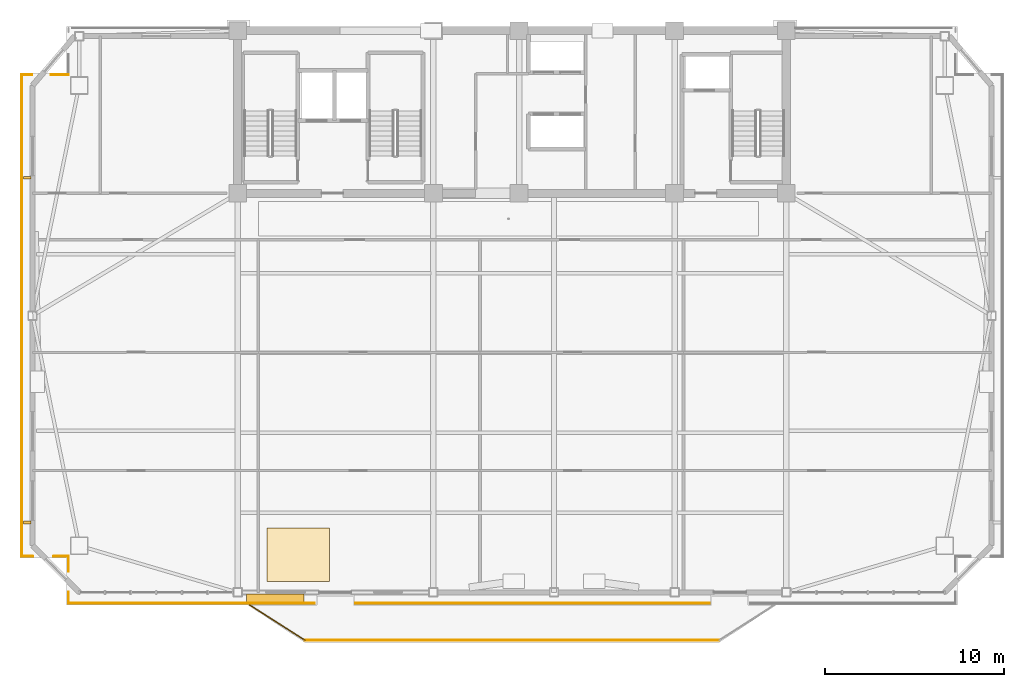
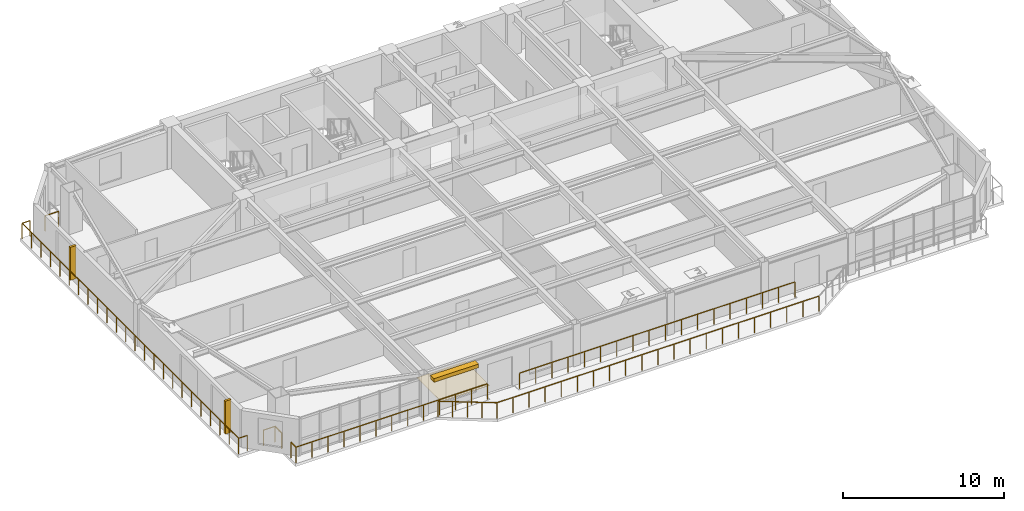
# One storey, part 13 of 17: 11 railings, 3 shading devices, 1 covering.
"""IFC4 building model written with IfcOpenShell, lengths in metres."""

import ifcopenshell
import ifcopenshell.guid

model = None  # the IFC model being written
_history = None  # IfcOwnerHistory: only IFC2X3 demands one
_inside = {}  # id of a spatial element -> (the spatial element, [elements in it])
_under = {}  # id of a project, library or spatial element -> (it, [spatial elements below it])
_declared = {}  # id of a project -> (the project, [libraries it declares])
_typed = {}  # id of a type object -> (the type object, [elements of that type])
_made_of = {}  # id of a material, layer set ... -> (it, [elements and type objects made of it])


def new_model(schema):
    """Start an empty IFC model of exactly this schema.

    Asked for "IFC4X3", IfcOpenShell would pick the latest addendum, in which some entities
    have other attributes; the version numbers below select the first issue.
    IFC2X3 requires an IfcOwnerHistory on every rooted entity: one is made here for all.
    """
    global model, _history
    if schema == "IFC4X3":
        model = ifcopenshell.file(schema_version=(4, 3, 0, 0))
    else:
        model = ifcopenshell.file(schema=schema)
    _inside.clear()
    _under.clear()
    _declared.clear()
    _typed.clear()
    _made_of.clear()
    _history = None
    if model.schema == "IFC2X3":
        org = make("IfcOrganization", Name="unknown")
        user = make(
            "IfcPersonAndOrganization",
            ThePerson=make("IfcPerson", FamilyName="unknown"),
            TheOrganization=org,
        )
        app = make(
            "IfcApplication",
            ApplicationDeveloper=org,
            Version="unknown",
            ApplicationFullName="unknown",
            ApplicationIdentifier="unknown",
        )
        _history = make(
            "IfcOwnerHistory",
            OwningUser=user,
            OwningApplication=app,
            ChangeAction="ADDED",
            CreationDate=0,
        )
    return model


def make(cls, **values):
    """One entity of the class cls with the attributes given. An attribute that is None is left unset."""
    return model.create_entity(
        cls, **{name: value for name, value in values.items() if value is not None}
    )


def rooted(cls, **values):
    """An entity with a GlobalId (a new one), such as an element, a storey or a relation."""
    return make(cls, GlobalId=ifcopenshell.guid.new(), OwnerHistory=_history, **values)


def si_unit(unit_type, name, prefix=None):
    """IfcSIUnit, for example si_unit("LENGTHUNIT", "METRE", prefix="MILLI")."""
    return make("IfcSIUnit", UnitType=unit_type, Prefix=prefix, Name=name)


def assignment(units):
    """IfcUnitAssignment: the units of a project."""
    return None if units is None else make("IfcUnitAssignment", Units=units)


def point(xyz):
    """IfcCartesianPoint."""
    return None if xyz is None else make("IfcCartesianPoint", Coordinates=xyz)


def direction(xyz):
    """IfcDirection."""
    return None if xyz is None else make("IfcDirection", DirectionRatios=xyz)


def frame(location, z_axis=None, x_axis=None):
    """IfcAxis2Placement3D, a coordinate frame: its origin and axes. An axis left out is left unset."""
    return make(
        "IfcAxis2Placement3D",
        Location=point(location),
        Axis=direction(z_axis),
        RefDirection=direction(x_axis),
    )


def frame_2d(location, x_axis=None):
    """IfcAxis2Placement2D, a coordinate frame in the plane: its origin and x axis."""
    return make(
        "IfcAxis2Placement2D", Location=point(location), RefDirection=direction(x_axis)
    )


def origin():
    """The frame at (0, 0, 0) with its axes left unset."""
    return frame((0.0, 0.0, 0.0))


def origin_2d():
    """The frame at (0, 0) in the plane with its x axis left unset."""
    return frame_2d((0.0, 0.0))


def place(relative_to, where):
    """IfcLocalPlacement: puts the frame where relative to a parent placement (None: the world)."""
    return make(
        "IfcLocalPlacement", PlacementRelTo=relative_to, RelativePlacement=where
    )


def context(
    kind, dimensions, precision=None, world=None, true_north=None, identifier=None
):
    """IfcGeometricRepresentationContext, for example the 3D "Model" context."""
    return make(
        "IfcGeometricRepresentationContext",
        ContextIdentifier=identifier,
        ContextType=kind,
        CoordinateSpaceDimension=dimensions,
        Precision=precision,
        WorldCoordinateSystem=world,
        TrueNorth=true_north,
    )


def subcontext(parent, identifier, kind, view, scale=None):
    """IfcGeometricRepresentationSubContext, for example "Body" below "Model"."""
    return make(
        "IfcGeometricRepresentationSubContext",
        ContextIdentifier=identifier,
        ContextType=kind,
        ParentContext=parent,
        TargetScale=scale,
        TargetView=view,
    )


def project(units=None, contexts=None):
    """IfcProject with its units and contexts."""
    return rooted(
        "IfcProject",
        Name="project",
        RepresentationContexts=contexts,
        UnitsInContext=assignment(units),
    )


def spatial(cls, under=None, at=None, **own):
    """A site, building, storey or space (cls), placed at a placement, below another one or the project."""
    s = rooted(cls, ObjectPlacement=at, **own)
    if under is not None:
        _under.setdefault(under.id(), (under, []))[1].append(s)
    return s


def polyline(points):
    """IfcPolyline through the points."""
    return make("IfcPolyline", Points=[point(p) for p in points])


def profile(cls, at=None, kind="AREA", **sizes):
    """A parametric profile (cls). Its sizes go by their IFC names, for example OverallWidth=200.0."""
    return make(cls, ProfileType=kind, Position=at, **sizes)


def rectangle(**sizes):
    """IfcRectangleProfileDef."""
    return profile("IfcRectangleProfileDef", **sizes)


def outline(outer, holes=None, kind="AREA"):
    """IfcArbitraryClosedProfileDef: a profile drawn as a closed curve; with holes, ...WithVoids."""
    if holes is None:
        return make("IfcArbitraryClosedProfileDef", ProfileType=kind, OuterCurve=outer)
    return make(
        "IfcArbitraryProfileDefWithVoids",
        ProfileType=kind,
        OuterCurve=outer,
        InnerCurves=holes,
    )


def extrude(swept, where, along, depth):
    """IfcExtrudedAreaSolid: the profile swept, set in the frame where, extruded along a direction by depth."""
    return make(
        "IfcExtrudedAreaSolid",
        SweptArea=swept,
        Position=where,
        ExtrudedDirection=direction(along),
        Depth=depth,
    )


def shape(context_of_items, identifier, shape_type, items):
    """IfcShapeRepresentation: the items that make up one representation, for example the "Body"."""
    return make(
        "IfcShapeRepresentation",
        ContextOfItems=context_of_items,
        RepresentationIdentifier=identifier,
        RepresentationType=shape_type,
        Items=items,
    )


def source(mapping_origin, context_of_items, identifier, shape_type, items):
    """IfcRepresentationMap: a shape defined once, which mapped items show again and again."""
    return make(
        "IfcRepresentationMap",
        MappingOrigin=mapping_origin,
        MappedRepresentation=shape(context_of_items, identifier, shape_type, items),
    )


def transform(
    local_origin,
    x_axis=None,
    y_axis=None,
    z_axis=None,
    scale=None,
    scale2=None,
    scale3=None,
    uniform=True,
):
    """IfcCartesianTransformationOperator3D, or its non-uniform kind. x_axis, y_axis, z_axis: its Axis1, 2, 3."""
    if uniform:
        return make(
            "IfcCartesianTransformationOperator3D",
            Axis1=direction(x_axis),
            Axis2=direction(y_axis),
            LocalOrigin=point(local_origin),
            Scale=scale,
            Axis3=direction(z_axis),
        )
    return make(
        "IfcCartesianTransformationOperator3DnonUniform",
        Axis1=direction(x_axis),
        Axis2=direction(y_axis),
        LocalOrigin=point(local_origin),
        Scale=scale,
        Axis3=direction(z_axis),
        Scale2=scale2,
        Scale3=scale3,
    )


def mapped(mapping_source, mapping_target):
    """IfcMappedItem: shows the shape of a source again, moved by a transform."""
    return make(
        "IfcMappedItem", MappingSource=mapping_source, MappingTarget=mapping_target
    )


def material(Name=None, Category=None):
    """IfcMaterial."""
    return make("IfcMaterial", Name=Name, Category=Category)


def layer(
    of_material, thickness, ventilated=None, Name=None, Category=None, Priority=None
):
    """IfcMaterialLayer: one layer of a wall or slab, of a material (None: an air gap)."""
    return make(
        "IfcMaterialLayer",
        Material=of_material,
        LayerThickness=thickness,
        IsVentilated=ventilated,
        Name=Name,
        Category=Category,
        Priority=Priority,
    )


def layer_set(layers, Name=None):
    """IfcMaterialLayerSet."""
    return make("IfcMaterialLayerSet", MaterialLayers=layers, LayerSetName=Name)


def made_of(thing, what):
    """Note that an element or type object is made of a material, layer set ...; save() writes the relation."""
    if what is not None:
        _made_of.setdefault(what.id(), (what, []))[1].append(thing)
    return thing


def type_object(cls, material=None, **own):
    """A type object (cls), such as IfcWallType, which elements share."""
    return made_of(rooted(cls, **own), material)


def element(
    cls,
    number,
    at=None,
    inside=None,
    cuts=None,
    type_object=None,
    material=None,
    context=None,
    identifier="Body",
    shape_type=None,
    held_by="IfcProductDefinitionShape",
    body=None,
    shapes=None,
    **own,
):
    """One element of the class cls, such as IfcWall. Its Tag is "e" and its number.

    at: its placement. inside: the storey or other place that contains it. cuts: it is an
    opening in that element (IfcRelVoidsElement). A single representation is given by context,
    identifier, shape_type and body (its items); several are given by shapes. held_by: the class
    of the entity that holds the representations. save() writes the other relations.
    """
    e = rooted(cls, Tag="e%d" % number, ObjectPlacement=at, **own)
    if body is not None:
        shapes = [shape(context, identifier, shape_type, body)]
    if shapes is not None:
        e.Representation = make(held_by, Representations=shapes)
    if inside is not None:
        _inside.setdefault(inside.id(), (inside, []))[1].append(e)
    if cuts is not None:
        rooted(
            "IfcRelVoidsElement", RelatingBuildingElement=cuts, RelatedOpeningElement=e
        )
    if type_object is not None:
        _typed.setdefault(type_object.id(), (type_object, []))[1].append(e)
    return made_of(e, material)


def aggregate(whole, parts):
    """IfcRelAggregates: a whole, such as a stair, and the parts it consists of."""
    return rooted("IfcRelAggregates", RelatingObject=whole, RelatedObjects=parts)


def save(model, path):
    """Write the relations noted so far, then the file.

    IfcRelAggregates (storeys below a building ...), IfcRelContainedInSpatialStructure (elements
    in a storey), IfcRelDefinesByType, IfcRelAssociatesMaterial and IfcRelDeclares: one each for
    every whole, place, type object, material and project.
    """
    for whole, parts in _under.values():
        aggregate(whole, parts)
    for where, things in _inside.values():
        rooted(
            "IfcRelContainedInSpatialStructure",
            RelatedElements=things,
            RelatingStructure=where,
        )
    for kind, things in _typed.values():
        rooted("IfcRelDefinesByType", RelatedObjects=things, RelatingType=kind)
    for what, things in _made_of.values():
        rooted("IfcRelAssociatesMaterial", RelatedObjects=things, RelatingMaterial=what)
    for by, libraries in _declared.values():
        rooted("IfcRelDeclares", RelatingContext=by, RelatedDefinitions=libraries)
    model.write(path)


model = new_model("IFC4")

# Units and contexts
model_context = context("Model", 3, precision=1e-05, world=origin(), true_north=direction((0.0, 1.0)))
body_context = subcontext(model_context, "Body", "Model", "MODEL_VIEW")
ifc_project = project(units=[si_unit("LENGTHUNIT", "METRE"), si_unit("AREAUNIT", "SQUARE_METRE"), si_unit("VOLUMEUNIT", "CUBIC_METRE"), si_unit("PLANEANGLEUNIT", "RADIAN"), si_unit("MASSUNIT", "GRAM", prefix="KILO")], contexts=[model_context])

# Site, building, storey
site_placement = place(None, origin())
site = spatial("IfcSite", under=ifc_project, at=site_placement, CompositionType="ELEMENT")
building_placement = place(site_placement, origin())
building = spatial("IfcBuilding", under=site, at=building_placement, Name="Giltprow Tower", CompositionType="ELEMENT")
storey_placement = place(building_placement, frame((0.0, 0.0, 251.89990234375)))
storey = spatial("IfcBuildingStorey", under=building, at=storey_placement, Name="L64", CompositionType="ELEMENT", Elevation=251.89990234375)

# Covering
ifc_material_1 = material(Name="Engineered oak", Category="wood")
ifc_layer = layer(ifc_material_1, 0.02490234375, Name="Engineered oak")
ifc_layer_set = layer_set([ifc_layer], Name="Engineered oak")
covering_type = type_object("IfcCoveringType", Name="COV-FLR-TIMBER", PredefinedType="FLOORING", material=ifc_layer_set)
covering_placement = place(storey_placement, origin())
element("IfcCovering", 1, at=covering_placement, inside=storey, type_object=covering_type, Name="L64 Residence Oak Parquet Flooring", PredefinedType="FLOORING", context=body_context, shape_type="SweptSolid", body=[
    extrude(outline(polyline([(21.5, 15.712890625), (25.0, 15.712890625), (25.0, 18.712890625), (21.5, 18.712890625), (21.5, 15.712890625)])), origin(), (0.0, 0.0, 1.0), 0.025146484375),
])

# Railings
ifc_material_2 = material(Name="Anodized bronze", Category="metal")
railing_type = type_object("IfcRailingType", Name="RAIL-BALC-GUARD-1200", PredefinedType="BALUSTRADE", material=ifc_material_2)
railing_1_placement = place(storey_placement, frame((20.52001953125, 14.4130859375, 0.0)))
element("IfcRailing", 2, at=railing_1_placement, inside=storey, type_object=railing_type, Name="L64 Waterfront Balcony Balustrade Seg 1", PredefinedType="BALUSTRADE", context=body_context, shape_type="SweptSolid", body=[
    extrude(rectangle(XDim=0.048095703125, YDim=0.048095703125, at=origin_2d()), frame((0.0, 0.0, 1.17578125), z_axis=(0.84277487735, -0.538266203757, 0.0), x_axis=(0.538266203757, 0.84277487735, 0.0)), (0.0, 0.0, 1.0), 3.678466796875),
    extrude(rectangle(XDim=0.0419921875, YDim=0.0419921875, at=origin_2d()), origin(), (0.0, 0.0, 1.0), 1.15185546875),
    extrude(rectangle(XDim=0.0419921875, YDim=0.0419921875, at=origin_2d()), frame((0.77490234375, -0.4951171875, 0.0)), (0.0, 0.0, 1.0), 1.15185546875),
    extrude(rectangle(XDim=0.0419921875, YDim=0.0419921875, at=origin_2d()), frame((1.550048828125, -0.989990234375, 0.0)), (0.0, 0.0, 1.0), 1.15185546875),
    extrude(rectangle(XDim=0.0419921875, YDim=0.0419921875, at=origin_2d()), frame((2.3251953125, -1.48486328125, 0.0)), (0.0, 0.0, 1.0), 1.15185546875),
    extrude(rectangle(XDim=0.0419921875, YDim=0.0419921875, at=origin_2d()), frame((3.10009765625, -1.97998046875, 0.0)), (0.0, 0.0, 1.0), 1.15185546875),
])
railing_2_placement = place(storey_placement, frame((23.6201171875, 12.43310546875, 0.0)))
element("IfcRailing", 3, at=railing_2_placement, inside=storey, type_object=railing_type, Name="L64 Waterfront Balcony Balustrade Seg 2", PredefinedType="BALUSTRADE", context=body_context, shape_type="SweptSolid", body=[
    extrude(rectangle(XDim=0.048095703125, YDim=0.048095703125, at=origin_2d()), frame((0.0, 0.0, 1.17578125), z_axis=(1.0, 0.0, 0.0), x_axis=(0.0, 1.0, 0.0)), (0.0, 0.0, 1.0), 23.159912109375),
    extrude(rectangle(XDim=0.0419921875, YDim=0.0419921875, at=origin_2d()), origin(), (0.0, 0.0, 1.0), 1.15185546875),
    extrude(rectangle(XDim=0.0419921875, YDim=0.0419921875, at=origin_2d()), frame((1.157958984375, 0.0, 0.0)), (0.0, 0.0, 1.0), 1.15185546875),
    extrude(rectangle(XDim=0.0419921875, YDim=0.0419921875, at=origin_2d()), frame((2.31591796875, 0.0, 0.0)), (0.0, 0.0, 1.0), 1.15185546875),
    extrude(rectangle(XDim=0.0419921875, YDim=0.0419921875, at=origin_2d()), frame((3.473876953125, 0.0, 0.0)), (0.0, 0.0, 1.0), 1.15185546875),
    extrude(rectangle(XDim=0.0419921875, YDim=0.0419921875, at=origin_2d()), frame((4.632080078125, 0.0, 0.0)), (0.0, 0.0, 1.0), 1.15185546875),
    extrude(rectangle(XDim=0.0419921875, YDim=0.0419921875, at=origin_2d()), frame((5.7900390625, 0.0, 0.0)), (0.0, 0.0, 1.0), 1.15185546875),
    extrude(rectangle(XDim=0.0419921875, YDim=0.0419921875, at=origin_2d()), frame((6.947998046875, 0.0, 0.0)), (0.0, 0.0, 1.0), 1.15185546875),
    extrude(rectangle(XDim=0.0419921875, YDim=0.0419921875, at=origin_2d()), frame((8.10595703125, 0.0, 0.0)), (0.0, 0.0, 1.0), 1.15185546875),
    extrude(rectangle(XDim=0.0419921875, YDim=0.0419921875, at=origin_2d()), frame((9.263916015625, 0.0, 0.0)), (0.0, 0.0, 1.0), 1.15185546875),
    extrude(rectangle(XDim=0.0419921875, YDim=0.0419921875, at=origin_2d()), frame((10.421875, 0.0, 0.0)), (0.0, 0.0, 1.0), 1.15185546875),
    extrude(rectangle(XDim=0.0419921875, YDim=0.0419921875, at=origin_2d()), frame((11.580078125, 0.0, 0.0)), (0.0, 0.0, 1.0), 1.15185546875),
    extrude(rectangle(XDim=0.0419921875, YDim=0.0419921875, at=origin_2d()), frame((12.738037109375, 0.0, 0.0)), (0.0, 0.0, 1.0), 1.15185546875),
    extrude(rectangle(XDim=0.0419921875, YDim=0.0419921875, at=origin_2d()), frame((13.89599609375, 0.0, 0.0)), (0.0, 0.0, 1.0), 1.15185546875),
    extrude(rectangle(XDim=0.0419921875, YDim=0.0419921875, at=origin_2d()), frame((15.053955078125, 0.0, 0.0)), (0.0, 0.0, 1.0), 1.15185546875),
    extrude(rectangle(XDim=0.0419921875, YDim=0.0419921875, at=origin_2d()), frame((16.2119140625, 0.0, 0.0)), (0.0, 0.0, 1.0), 1.15185546875),
    extrude(rectangle(XDim=0.0419921875, YDim=0.0419921875, at=origin_2d()), frame((17.369873046875, 0.0, 0.0)), (0.0, 0.0, 1.0), 1.15185546875),
    extrude(rectangle(XDim=0.0419921875, YDim=0.0419921875, at=origin_2d()), frame((18.52783203125, 0.0, 0.0)), (0.0, 0.0, 1.0), 1.15185546875),
    extrude(rectangle(XDim=0.0419921875, YDim=0.0419921875, at=origin_2d()), frame((19.68603515625, 0.0, 0.0)), (0.0, 0.0, 1.0), 1.15185546875),
    extrude(rectangle(XDim=0.0419921875, YDim=0.0419921875, at=origin_2d()), frame((20.843994140625, 0.0, 0.0)), (0.0, 0.0, 1.0), 1.15185546875),
    extrude(rectangle(XDim=0.0419921875, YDim=0.0419921875, at=origin_2d()), frame((22.001953125, 0.0, 0.0)), (0.0, 0.0, 1.0), 1.15185546875),
    extrude(rectangle(XDim=0.0419921875, YDim=0.0419921875, at=origin_2d()), frame((23.159912109375, 0.0, 0.0)), (0.0, 0.0, 1.0), 1.15185546875),
])
railing_3_placement = place(storey_placement, frame((46.25, 14.512939453125, 0.0)))
element("IfcRailing", 4, at=railing_3_placement, inside=storey, type_object=railing_type, Name="L64 Corner Apron Edge Balustrade 7", PredefinedType="BALUSTRADE", context=body_context, shape_type="SweptSolid", body=[
    extrude(rectangle(XDim=0.048095703125, YDim=0.048095703125, at=origin_2d()), frame((0.0, 0.0, 1.17578125), z_axis=(-1.0, 0.0, 0.0), x_axis=(0.0, -1.0, 0.0)), (0.0, 0.0, 1.0), 19.800048828125),
    extrude(rectangle(XDim=0.0419921875, YDim=0.0419921875, at=origin_2d()), origin(), (0.0, 0.0, 1.0), 1.15185546875),
    extrude(rectangle(XDim=0.0419921875, YDim=0.0419921875, at=origin_2d()), frame((-1.164794921875, 0.0, 0.0)), (0.0, 0.0, 1.0), 1.15185546875),
    extrude(rectangle(XDim=0.0419921875, YDim=0.0419921875, at=origin_2d()), frame((-2.329345703125, 0.0, 0.0)), (0.0, 0.0, 1.0), 1.15185546875),
    extrude(rectangle(XDim=0.0419921875, YDim=0.0419921875, at=origin_2d()), frame((-3.494140625, 0.0, 0.0)), (0.0, 0.0, 1.0), 1.15185546875),
    extrude(rectangle(XDim=0.0419921875, YDim=0.0419921875, at=origin_2d()), frame((-4.658935546875, 0.0, 0.0)), (0.0, 0.0, 1.0), 1.15185546875),
    extrude(rectangle(XDim=0.0419921875, YDim=0.0419921875, at=origin_2d()), frame((-5.823486328125, 0.0, 0.0)), (0.0, 0.0, 1.0), 1.15185546875),
    extrude(rectangle(XDim=0.0419921875, YDim=0.0419921875, at=origin_2d()), frame((-6.98828125, 0.0, 0.0)), (0.0, 0.0, 1.0), 1.15185546875),
    extrude(rectangle(XDim=0.0419921875, YDim=0.0419921875, at=origin_2d()), frame((-8.153076171875, 0.0, 0.0)), (0.0, 0.0, 1.0), 1.15185546875),
    extrude(rectangle(XDim=0.0419921875, YDim=0.0419921875, at=origin_2d()), frame((-9.317626953125, 0.0, 0.0)), (0.0, 0.0, 1.0), 1.15185546875),
    extrude(rectangle(XDim=0.0419921875, YDim=0.0419921875, at=origin_2d()), frame((-10.482421875, 0.0, 0.0)), (0.0, 0.0, 1.0), 1.15185546875),
    extrude(rectangle(XDim=0.0419921875, YDim=0.0419921875, at=origin_2d()), frame((-11.64697265625, 0.0, 0.0)), (0.0, 0.0, 1.0), 1.15185546875),
    extrude(rectangle(XDim=0.0419921875, YDim=0.0419921875, at=origin_2d()), frame((-12.811767578125, 0.0, 0.0)), (0.0, 0.0, 1.0), 1.15185546875),
    extrude(rectangle(XDim=0.0419921875, YDim=0.0419921875, at=origin_2d()), frame((-13.9765625, 0.0, 0.0)), (0.0, 0.0, 1.0), 1.15185546875),
    extrude(rectangle(XDim=0.0419921875, YDim=0.0419921875, at=origin_2d()), frame((-15.14111328125, 0.0, 0.0)), (0.0, 0.0, 1.0), 1.15185546875),
    extrude(rectangle(XDim=0.0419921875, YDim=0.0419921875, at=origin_2d()), frame((-16.305908203125, 0.0, 0.0)), (0.0, 0.0, 1.0), 1.15185546875),
    extrude(rectangle(XDim=0.0419921875, YDim=0.0419921875, at=origin_2d()), frame((-17.470703125, 0.0, 0.0)), (0.0, 0.0, 1.0), 1.15185546875),
    extrude(rectangle(XDim=0.0419921875, YDim=0.0419921875, at=origin_2d()), frame((-18.63525390625, 0.0, 0.0)), (0.0, 0.0, 1.0), 1.15185546875),
    extrude(rectangle(XDim=0.0419921875, YDim=0.0419921875, at=origin_2d()), frame((-19.800048828125, 0.0, 0.0)), (0.0, 0.0, 1.0), 1.15185546875),
])
railing_4_placement = place(storey_placement, frame((24.14990234375, 14.512939453125, 0.0)))
element("IfcRailing", 5, at=railing_4_placement, inside=storey, type_object=railing_type, Name="L64 Corner Apron Edge Balustrade 8", PredefinedType="BALUSTRADE", context=body_context, shape_type="SweptSolid", body=[
    extrude(rectangle(XDim=0.048095703125, YDim=0.048095703125, at=origin_2d()), frame((0.0, 0.0, 1.17578125), z_axis=(-1.0, 0.0, 0.0), x_axis=(0.0, -1.0, 0.0)), (0.0, 0.0, 1.0), 13.77099609375),
    extrude(rectangle(XDim=0.0419921875, YDim=0.0419921875, at=origin_2d()), origin(), (0.0, 0.0, 1.0), 1.15185546875),
    extrude(rectangle(XDim=0.0419921875, YDim=0.0419921875, at=origin_2d()), frame((-1.1474609375, 0.0, 0.0)), (0.0, 0.0, 1.0), 1.15185546875),
    extrude(rectangle(XDim=0.0419921875, YDim=0.0419921875, at=origin_2d()), frame((-2.295166015625, 0.0, 0.0)), (0.0, 0.0, 1.0), 1.15185546875),
    extrude(rectangle(XDim=0.0419921875, YDim=0.0419921875, at=origin_2d()), frame((-3.44287109375, 0.0, 0.0)), (0.0, 0.0, 1.0), 1.15185546875),
    extrude(rectangle(XDim=0.0419921875, YDim=0.0419921875, at=origin_2d()), frame((-4.59033203125, 0.0, 0.0)), (0.0, 0.0, 1.0), 1.15185546875),
    extrude(rectangle(XDim=0.0419921875, YDim=0.0419921875, at=origin_2d()), frame((-5.73779296875, 0.0, 0.0)), (0.0, 0.0, 1.0), 1.15185546875),
    extrude(rectangle(XDim=0.0419921875, YDim=0.0419921875, at=origin_2d()), frame((-6.885498046875, 0.0, 0.0)), (0.0, 0.0, 1.0), 1.15185546875),
    extrude(rectangle(XDim=0.0419921875, YDim=0.0419921875, at=origin_2d()), frame((-8.033203125, 0.0, 0.0)), (0.0, 0.0, 1.0), 1.15185546875),
    extrude(rectangle(XDim=0.0419921875, YDim=0.0419921875, at=origin_2d()), frame((-9.1806640625, 0.0, 0.0)), (0.0, 0.0, 1.0), 1.15185546875),
    extrude(rectangle(XDim=0.0419921875, YDim=0.0419921875, at=origin_2d()), frame((-10.328125, 0.0, 0.0)), (0.0, 0.0, 1.0), 1.15185546875),
    extrude(rectangle(XDim=0.0419921875, YDim=0.0419921875, at=origin_2d()), frame((-11.475830078125, 0.0, 0.0)), (0.0, 0.0, 1.0), 1.15185546875),
    extrude(rectangle(XDim=0.0419921875, YDim=0.0419921875, at=origin_2d()), frame((-12.62353515625, 0.0, 0.0)), (0.0, 0.0, 1.0), 1.15185546875),
    extrude(rectangle(XDim=0.0419921875, YDim=0.0419921875, at=origin_2d()), frame((-13.77099609375, 0.0, 0.0)), (0.0, 0.0, 1.0), 1.15185546875),
])
railing_5_placement = place(storey_placement, frame((10.37890625, 14.512939453125, 0.0)))
element("IfcRailing", 6, at=railing_5_placement, inside=storey, type_object=railing_type, Name="L64 Corner Apron Edge Balustrade 9", PredefinedType="BALUSTRADE", context=body_context, shape_type="SweptSolid", body=[
    extrude(rectangle(XDim=0.048095703125, YDim=0.048095703125, at=origin_2d()), frame((0.0, 0.0, 1.17578125), z_axis=(0.0, 1.0, 0.0), x_axis=(-1.0, 0.0, 0.0)), (0.0, 0.0, 1.0), 0.6201171875),
    extrude(rectangle(XDim=0.0419921875, YDim=0.0419921875, at=origin_2d()), origin(), (0.0, 0.0, 1.0), 1.15185546875),
    extrude(rectangle(XDim=0.0419921875, YDim=0.0419921875, at=origin_2d()), frame((0.0, 0.6201171875, 0.0)), (0.0, 0.0, 1.0), 1.15185546875),
])
railing_6_placement = place(storey_placement, frame((10.37890625, 16.29296875, 0.0)))
element("IfcRailing", 7, at=railing_6_placement, inside=storey, type_object=railing_type, Name="L64 Corner Apron Edge Balustrade 10", PredefinedType="BALUSTRADE", context=body_context, shape_type="SweptSolid", body=[
    extrude(rectangle(XDim=0.048095703125, YDim=0.048095703125, at=origin_2d()), frame((0.0, 0.0, 1.17578125), z_axis=(0.0, 1.0, 0.0), x_axis=(-1.0, 0.0, 0.0)), (0.0, 0.0, 1.0), 0.8349609375),
    extrude(rectangle(XDim=0.0419921875, YDim=0.0419921875, at=origin_2d()), origin(), (0.0, 0.0, 1.0), 1.15185546875),
    extrude(rectangle(XDim=0.0419921875, YDim=0.0419921875, at=origin_2d()), frame((0.0, 0.8349609375, 0.0)), (0.0, 0.0, 1.0), 1.15185546875),
])
railing_7_placement = place(storey_placement, frame((10.37890625, 17.1279296875, 0.0)))
element("IfcRailing", 8, at=railing_7_placement, inside=storey, type_object=railing_type, Name="L64 Corner Apron Edge Balustrade 11", PredefinedType="BALUSTRADE", context=body_context, shape_type="SweptSolid", body=[
    extrude(rectangle(XDim=0.048095703125, YDim=0.048095703125, at=origin_2d()), frame((0.0, 0.0, 1.17578125), z_axis=(-1.0, 0.0, 0.0), x_axis=(0.0, -1.0, 0.0)), (0.0, 0.0, 1.0), 0.8349609375),
    extrude(rectangle(XDim=0.0419921875, YDim=0.0419921875, at=origin_2d()), origin(), (0.0, 0.0, 1.0), 1.15185546875),
    extrude(rectangle(XDim=0.0419921875, YDim=0.0419921875, at=origin_2d()), frame((-0.8349609375, 0.0, 0.0)), (0.0, 0.0, 1.0), 1.15185546875),
])
railing_8_placement = place(storey_placement, frame((8.384033203125, 17.1279296875, 0.0)))
element("IfcRailing", 9, at=railing_8_placement, inside=storey, type_object=railing_type, Name="L64 Corner Apron Edge Balustrade 12", PredefinedType="BALUSTRADE", context=body_context, shape_type="SweptSolid", body=[
    extrude(rectangle(XDim=0.048095703125, YDim=0.048095703125, at=origin_2d()), frame((0.0, 0.0, 1.17578125), z_axis=(-1.0, 0.0, 0.0), x_axis=(0.0, -1.0, 0.0)), (0.0, 0.0, 1.0), 0.6201171875),
    extrude(rectangle(XDim=0.0419921875, YDim=0.0419921875, at=origin_2d()), origin(), (0.0, 0.0, 1.0), 1.15185546875),
    extrude(rectangle(XDim=0.0419921875, YDim=0.0419921875, at=origin_2d()), frame((-0.6201171875, 0.0, 0.0)), (0.0, 0.0, 1.0), 1.15185546875),
])
railing_9_placement = place(storey_placement, frame((7.763916015625, 17.1279296875, 0.0)))
element("IfcRailing", 10, at=railing_9_placement, inside=storey, type_object=railing_type, Name="L64 Corner Apron Edge Balustrade 13", PredefinedType="BALUSTRADE", context=body_context, shape_type="SweptSolid", body=[
    extrude(rectangle(XDim=0.048095703125, YDim=0.048095703125, at=origin_2d()), frame((0.0, 0.0, 1.17578125), z_axis=(0.0, 1.0, 0.0), x_axis=(-1.0, 0.0, 0.0)), (0.0, 0.0, 1.0), 26.9560546875),
    extrude(rectangle(XDim=0.0419921875, YDim=0.0419921875, at=origin_2d()), origin(), (0.0, 0.0, 1.0), 1.15185546875),
    extrude(rectangle(XDim=0.0419921875, YDim=0.0419921875, at=origin_2d()), frame((0.0, 1.172119140625, 0.0)), (0.0, 0.0, 1.0), 1.15185546875),
    extrude(rectangle(XDim=0.0419921875, YDim=0.0419921875, at=origin_2d()), frame((0.0, 2.343994140625, 0.0)), (0.0, 0.0, 1.0), 1.15185546875),
    extrude(rectangle(XDim=0.0419921875, YDim=0.0419921875, at=origin_2d()), frame((0.0, 3.51611328125, 0.0)), (0.0, 0.0, 1.0), 1.15185546875),
    extrude(rectangle(XDim=0.0419921875, YDim=0.0419921875, at=origin_2d()), frame((0.0, 4.68798828125, 0.0)), (0.0, 0.0, 1.0), 1.15185546875),
    extrude(rectangle(XDim=0.0419921875, YDim=0.0419921875, at=origin_2d()), frame((0.0, 5.860107421875, 0.0)), (0.0, 0.0, 1.0), 1.15185546875),
    extrude(rectangle(XDim=0.0419921875, YDim=0.0419921875, at=origin_2d()), frame((0.0, 7.031982421875, 0.0)), (0.0, 0.0, 1.0), 1.15185546875),
    extrude(rectangle(XDim=0.0419921875, YDim=0.0419921875, at=origin_2d()), frame((0.0, 8.2041015625, 0.0)), (0.0, 0.0, 1.0), 1.15185546875),
    extrude(rectangle(XDim=0.0419921875, YDim=0.0419921875, at=origin_2d()), frame((0.0, 9.3759765625, 0.0)), (0.0, 0.0, 1.0), 1.15185546875),
    extrude(rectangle(XDim=0.0419921875, YDim=0.0419921875, at=origin_2d()), frame((0.0, 10.548095703125, 0.0)), (0.0, 0.0, 1.0), 1.15185546875),
    extrude(rectangle(XDim=0.0419921875, YDim=0.0419921875, at=origin_2d()), frame((0.0, 11.719970703125, 0.0)), (0.0, 0.0, 1.0), 1.15185546875),
    extrude(rectangle(XDim=0.0419921875, YDim=0.0419921875, at=origin_2d()), frame((0.0, 12.89208984375, 0.0)), (0.0, 0.0, 1.0), 1.15185546875),
    extrude(rectangle(XDim=0.0419921875, YDim=0.0419921875, at=origin_2d()), frame((0.0, 14.06396484375, 0.0)), (0.0, 0.0, 1.0), 1.15185546875),
    extrude(rectangle(XDim=0.0419921875, YDim=0.0419921875, at=origin_2d()), frame((0.0, 15.236083984375, 0.0)), (0.0, 0.0, 1.0), 1.15185546875),
    extrude(rectangle(XDim=0.0419921875, YDim=0.0419921875, at=origin_2d()), frame((0.0, 16.407958984375, 0.0)), (0.0, 0.0, 1.0), 1.15185546875),
    extrude(rectangle(XDim=0.0419921875, YDim=0.0419921875, at=origin_2d()), frame((0.0, 17.580078125, 0.0)), (0.0, 0.0, 1.0), 1.15185546875),
    extrude(rectangle(XDim=0.0419921875, YDim=0.0419921875, at=origin_2d()), frame((0.0, 18.751953125, 0.0)), (0.0, 0.0, 1.0), 1.15185546875),
    extrude(rectangle(XDim=0.0419921875, YDim=0.0419921875, at=origin_2d()), frame((0.0, 19.924072265625, 0.0)), (0.0, 0.0, 1.0), 1.15185546875),
    extrude(rectangle(XDim=0.0419921875, YDim=0.0419921875, at=origin_2d()), frame((0.0, 21.095947265625, 0.0)), (0.0, 0.0, 1.0), 1.15185546875),
    extrude(rectangle(XDim=0.0419921875, YDim=0.0419921875, at=origin_2d()), frame((0.0, 22.26806640625, 0.0)), (0.0, 0.0, 1.0), 1.15185546875),
    extrude(rectangle(XDim=0.0419921875, YDim=0.0419921875, at=origin_2d()), frame((0.0, 23.43994140625, 0.0)), (0.0, 0.0, 1.0), 1.15185546875),
    extrude(rectangle(XDim=0.0419921875, YDim=0.0419921875, at=origin_2d()), frame((0.0, 24.612060546875, 0.0)), (0.0, 0.0, 1.0), 1.15185546875),
    extrude(rectangle(XDim=0.0419921875, YDim=0.0419921875, at=origin_2d()), frame((0.0, 25.783935546875, 0.0)), (0.0, 0.0, 1.0), 1.15185546875),
    extrude(rectangle(XDim=0.0419921875, YDim=0.0419921875, at=origin_2d()), frame((0.0, 26.9560546875, 0.0)), (0.0, 0.0, 1.0), 1.15185546875),
])
railing_10_placement = place(storey_placement, frame((7.763916015625, 44.083984375, 0.0)))
element("IfcRailing", 11, at=railing_10_placement, inside=storey, type_object=railing_type, Name="L64 Corner Apron Edge Balustrade 14", PredefinedType="BALUSTRADE", context=body_context, shape_type="SweptSolid", body=[
    extrude(rectangle(XDim=0.048095703125, YDim=0.048095703125, at=origin_2d()), frame((0.0, 0.0, 1.17578125), z_axis=(1.0, 0.0, 0.0), x_axis=(0.0, 1.0, 0.0)), (0.0, 0.0, 1.0), 0.572998046875),
    extrude(rectangle(XDim=0.0419921875, YDim=0.0419921875, at=origin_2d()), origin(), (0.0, 0.0, 1.0), 1.15185546875),
    extrude(rectangle(XDim=0.0419921875, YDim=0.0419921875, at=origin_2d()), frame((0.572998046875, 0.0, 0.0)), (0.0, 0.0, 1.0), 1.15185546875),
])
railing_11_placement = place(storey_placement, frame((9.416015625, 44.083984375, 0.0)))
element("IfcRailing", 12, at=railing_11_placement, inside=storey, type_object=railing_type, Name="L64 Corner Apron Edge Balustrade 15", PredefinedType="BALUSTRADE", context=body_context, shape_type="SweptSolid", body=[
    extrude(rectangle(XDim=0.048095703125, YDim=0.048095703125, at=origin_2d()), frame((0.0, 0.0, 1.17578125), z_axis=(1.0, 0.0, 0.0), x_axis=(0.0, 1.0, 0.0)), (0.0, 0.0, 1.0), 0.962890625),
    extrude(rectangle(XDim=0.0419921875, YDim=0.0419921875, at=origin_2d()), origin(), (0.0, 0.0, 1.0), 1.15185546875),
    extrude(rectangle(XDim=0.0419921875, YDim=0.0419921875, at=origin_2d()), frame((0.962890625, 0.0, 0.0)), (0.0, 0.0, 1.0), 1.15185546875),
])

# Shading devices
shading_device_type_1 = type_object("IfcShadingDeviceType", Name="SHD-FIN-420", PredefinedType="USERDEFINED", material=ifc_material_2)
shared_shape_1 = source(origin(), body_context, "Body", "SweptSolid", [
    extrude(rectangle(XDim=0.419921875, YDim=0.159912109375, at=origin_2d()), origin(), (0.0, 0.0, 1.0), 2.5),
])
for number, where, z_axis, x_axis, name in (
    (13, (8.06396484375, 19.030029296875, 0.35009765625), (0.0, 0.0, 1.0), (1.0, 0.0, 0.0), "L64 W Bronze Vertical Fin 1-1"),
    (14, (8.06396484375, 38.320068359375, 0.35009765625), (0.0, 0.0, 1.0), (1.0, 0.0, 0.0), "L64 W Bronze Vertical Fin 2-1"),
):
    element("IfcShadingDevice", number, at=place(storey_placement, frame(where, z_axis=z_axis, x_axis=x_axis)), inside=storey, type_object=shading_device_type_1, Name=name, ObjectType="FIN", PredefinedType="USERDEFINED", context=body_context, shape_type="MappedRepresentation", body=[
        mapped(shared_shape_1, transform((0.0, 0.0, 0.0), x_axis=(1.0, 0.0, 0.0), y_axis=(0.0, 1.0, 0.0), z_axis=(0.0, 0.0, 1.0), scale=1.0)),
    ])
shading_device_type_2 = type_object("IfcShadingDeviceType", Name="SHD-LOUVRE-320", PredefinedType="JALOUSIE", material=ifc_material_2)
shared_shape_2 = source(origin(), body_context, "Body", "SweptSolid", [
    extrude(rectangle(XDim=3.199951171875, YDim=0.449951171875, at=origin_2d()), origin(), (0.0, 0.0, 1.0), 0.280029296875),
])
shading_device_placement = place(storey_placement, frame((21.949951171875, 14.81298828125, 2.56005859375), z_axis=(0.0, 0.0, 1.0), x_axis=(1.0, 0.0, 0.0)))
element("IfcShadingDevice", 15, at=shading_device_placement, inside=storey, type_object=shading_device_type_2, Name="L64 Bronze Sunshade Louvre S-2", PredefinedType="JALOUSIE", context=body_context, shape_type="MappedRepresentation", body=[
    mapped(shared_shape_2, transform((0.0, 0.0, 0.0), x_axis=(1.0, 0.0, 0.0), y_axis=(0.0, 1.0, 0.0), z_axis=(0.0, 0.0, 1.0), scale=1.0)),
])

save(model, "model.ifc")
